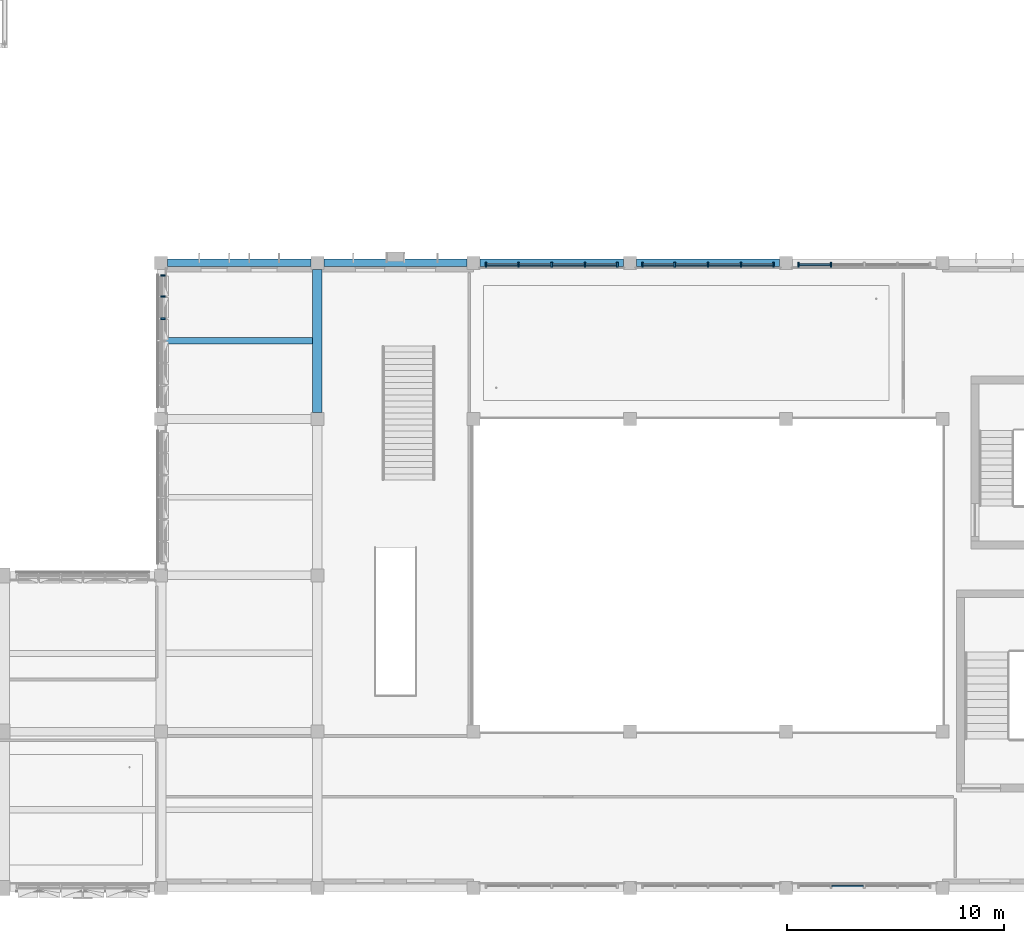
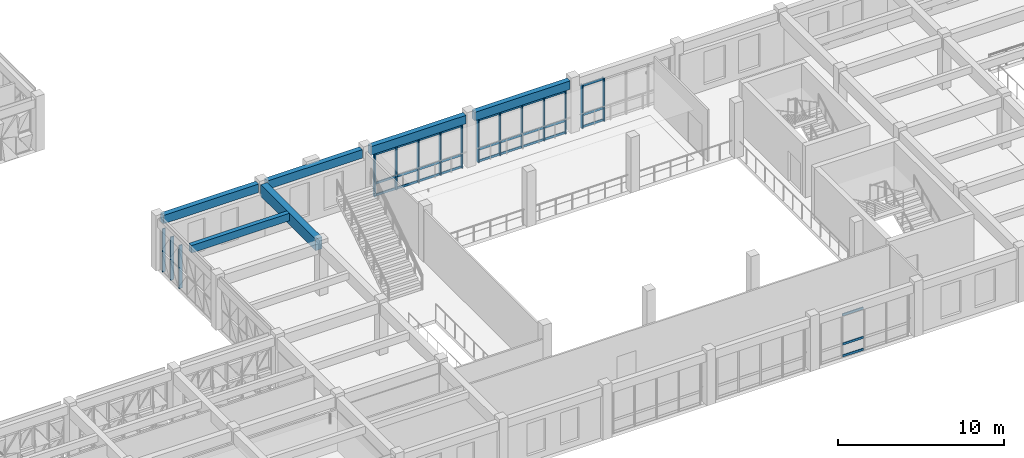
# One storey, part 12 of 88: 45 members, 6 beams, 5 elements without a shape of their own.
"""IFC4 building model written with IfcOpenShell, lengths in metres."""

from ifc_helpers import new_model, si_unit, direction, frame, origin, origin_2d, place, context, subcontext, project, spatial, rectangle, extrude, material, material_profile, profile_set, type_object, element, aggregate, save


model = new_model("IFC4")

# Units and contexts
model_context = context("Model", 3, precision=1e-05, world=origin(), true_north=direction((0.0, 1.0)))
body_context = subcontext(model_context, "Body", "Model", "MODEL_VIEW")
ifc_project = project(units=[si_unit("LENGTHUNIT", "METRE"), si_unit("AREAUNIT", "SQUARE_METRE"), si_unit("VOLUMEUNIT", "CUBIC_METRE"), si_unit("PLANEANGLEUNIT", "RADIAN"), si_unit("MASSUNIT", "GRAM", prefix="KILO")], contexts=[model_context])

# Site, building, storey
site_placement = place(None, origin())
site = spatial("IfcSite", under=ifc_project, at=site_placement, CompositionType="ELEMENT")
building_placement = place(site_placement, origin())
building = spatial("IfcBuilding", under=site, at=building_placement, Name="Alvorim Cloister Faculty of Sciences", CompositionType="ELEMENT")
storey_placement = place(building_placement, frame((0.0, 0.0, 4.5)))
storey = spatial("IfcBuildingStorey", under=building, at=storey_placement, Name="L01", CompositionType="ELEMENT", Elevation=4.5)

# Beams
ifc_material_1 = material(Name="Concrete C40", Category="concrete")
ifc_material_profile_1 = material_profile(ifc_material_1, rectangle(XDim=0.300048828125, YDim=0.550048828125, at=origin_2d()), Name="RC40-JST-300x550")
ifc_profile_set_1 = profile_set([ifc_material_profile_1], Name="Concrete C40")
beam_type_1 = type_object("IfcBeamType", Name="BM-JST-RC-300x550", PredefinedType="JOIST", material=ifc_profile_set_1)
beam_1_placement = place(storey_placement, frame((64.97509765625, 25.199951171875, 3.514892578125), z_axis=(1.0, 0.0, 0.0), x_axis=(0.0, 1.0, 0.0)))
element("IfcBeam", 1, at=beam_1_placement, inside=storey, type_object=beam_type_1, Name="L01 Secondary Floor Joist BM-1209", PredefinedType="JOIST", context=body_context, shape_type="SweptSolid", body=[
    extrude(rectangle(XDim=0.300048828125, YDim=0.550048828125, at=origin_2d()), origin(), (0.0, 0.0, 1.0), 6.7998046875),
])
ifc_material_profile_2 = material_profile(ifc_material_1, rectangle(XDim=0.449951171875, YDim=0.85009765625, at=origin_2d()), Name="RC40-BM-450x850")
ifc_profile_set_2 = profile_set([ifc_material_profile_2], Name="Concrete C40")
beam_type_2 = type_object("IfcBeamType", Name="BM-RC-450x850", PredefinedType="BEAM", material=ifc_profile_set_2)
beam_2_placement = place(storey_placement, frame((72.0, 21.89990234375, 3.364990234375), z_axis=(0.0, 1.0, 0.0), x_axis=(-1.0, 0.0, 0.0)))
element("IfcBeam", 2, at=beam_2_placement, inside=storey, type_object=beam_type_2, Name="L01 Primary Girder BM-1111", PredefinedType="BEAM", context=body_context, shape_type="SweptSolid", body=[
    extrude(rectangle(XDim=0.449951171875, YDim=0.85009765625, at=origin_2d()), origin(), (0.0, 0.0, 1.0), 6.60009765625),
])
ifc_material_profile_3 = material_profile(ifc_material_1, rectangle(XDim=0.35009765625, YDim=0.6201171875, at=origin_2d()), Name="RC40-SPD-350x620")
ifc_profile_set_3 = profile_set([ifc_material_profile_3], Name="Concrete C40")
beam_type_3 = type_object("IfcBeamType", Name="BM-SPD-RC-350x620", PredefinedType="SPANDREL", material=ifc_profile_set_3)
for number, where, z_axis, x_axis, name in (
    (3, (65.10009765625, 28.800048828125, 3.47998046875), (1.0, 0.0, 0.0), (0.0, 1.0, 0.0), "L01 Primary Beam BM-0949"),
    (4, (72.300048828125, 28.800048828125, 3.47998046875), (1.0, 0.0, 0.0), (0.0, 1.0, 0.0), "L01 Primary Beam BM-0950"),
):
    element("IfcBeam", number, at=place(storey_placement, frame(where, z_axis=z_axis, x_axis=x_axis)), inside=storey, type_object=beam_type_3, Name=name, PredefinedType="SPANDREL", context=body_context, shape_type="SweptSolid", body=[
        extrude(rectangle(XDim=0.35009765625, YDim=0.6201171875, at=origin_2d()), origin(), (0.0, 0.0, 1.0), 6.599853515625),
    ])
for number, where, z_axis, x_axis, name in (
    (5, (79.5, 28.800048828125, 3.47998046875), (1.0, 0.0, 0.0), (0.0, 1.0, 0.0), "L01 Primary Beam BM-0951"),
    (6, (86.699951171875, 28.800048828125, 3.47998046875), (1.0, 0.0, 0.0), (0.0, 1.0, 0.0), "L01 Primary Beam BM-0952"),
):
    element("IfcBeam", number, at=place(storey_placement, frame(where, z_axis=z_axis, x_axis=x_axis)), inside=storey, type_object=beam_type_3, Name=name, PredefinedType="SPANDREL", context=body_context, shape_type="SweptSolid", body=[
        extrude(rectangle(XDim=0.35009765625, YDim=0.6201171875, at=origin_2d()), origin(), (0.0, 0.0, 1.0), 6.60009765625),
    ])

# Curtain wall, members
ifc_material_2 = material(Name="Aluminium and Low-E Glass Curtain Wall", Category="aluminium")
curtain_wall_type_1 = type_object("IfcCurtainWallType", Name="CW-TRI-6120x3170", PredefinedType="USERDEFINED", material=ifc_material_2)
curtain_wall_1_placement = place(storey_placement, origin())
curtain_wall_1 = element("IfcCurtainWall", 7, at=curtain_wall_1_placement, inside=storey, type_object=curtain_wall_type_1, Name="L01 Diagonal Cassette Curtain Wall CW-0033", ObjectType="UNITISED CURTAIN WALL", PredefinedType="USERDEFINED")
ifc_material_3 = material(Name="Aluminium Alloy 6063-T6", Category="aluminium")
ifc_material_profile_4 = material_profile(ifc_material_3, rectangle(XDim=0.074951171875, YDim=0.219970703125, at=origin_2d()), Name="ALU-MUL-75x220")
ifc_profile_set_4 = profile_set([ifc_material_profile_4], Name="Aluminium Alloy 6063-T6")
member_type_1 = type_object("IfcMemberType", Name="CW-MUL-75x220", PredefinedType="MULLION", material=ifc_profile_set_4)
member_1_placement = place(storey_placement, frame((64.889892578125, 26.219970703125, 0.0), z_axis=(0.0, 0.0, 1.0), x_axis=(0.0, 1.0, 0.0)))
member_1 = element("IfcMember", 8, at=member_1_placement, type_object=member_type_1, Name="CW-0033 Mullion 5", PredefinedType="MULLION", context=body_context, shape_type="SweptSolid", body=[
    extrude(rectangle(XDim=0.074951171875, YDim=0.219970703125, at=origin_2d()), origin(), (0.0, 0.0, 1.0), 3.169921875),
])
member_2_placement = place(storey_placement, frame((64.889892578125, 27.239990234375, 0.0), z_axis=(0.0, 0.0, 1.0), x_axis=(0.0, 1.0, 0.0)))
member_2 = element("IfcMember", 9, at=member_2_placement, type_object=member_type_1, Name="CW-0033 Mullion 6", PredefinedType="MULLION", context=body_context, shape_type="SweptSolid", body=[
    extrude(rectangle(XDim=0.074951171875, YDim=0.219970703125, at=origin_2d()), origin(), (0.0, 0.0, 1.0), 3.169921875),
])
member_3_placement = place(storey_placement, frame((64.889892578125, 28.222412109375, 0.0), z_axis=(0.0, 0.0, 1.0), x_axis=(0.0, 1.0, 0.0)))
member_3 = element("IfcMember", 10, at=member_3_placement, type_object=member_type_1, Name="CW-0033 Mullion 7", PredefinedType="MULLION", context=body_context, shape_type="SweptSolid", body=[
    extrude(rectangle(XDim=0.074951171875, YDim=0.219970703125, at=origin_2d()), origin(), (0.0, 0.0, 1.0), 3.169921875),
])
aggregate(curtain_wall_1, [member_1, member_2, member_3])

curtain_wall_type_2 = type_object("IfcCurtainWallType", Name="CW-GLZ-6120x3170", PredefinedType="USERDEFINED", material=ifc_material_2)
curtain_wall_2_placement = place(storey_placement, origin())
curtain_wall_2 = element("IfcCurtainWall", 11, at=curtain_wall_2_placement, inside=storey, type_object=curtain_wall_type_2, Name="L01 Entrance and Atrium Glazed Curtain Wall CW-0034", ObjectType="UNITISED CURTAIN WALL", PredefinedType="USERDEFINED")
member_4_placement = place(storey_placement, frame((79.777587890625, 28.7099609375, 0.0), z_axis=(0.0, 0.0, 1.0), x_axis=(1.0, 0.0, 0.0)))
member_4 = element("IfcMember", 12, at=member_4_placement, type_object=member_type_1, Name="CW-04 mullion 1", PredefinedType="MULLION", context=body_context, shape_type="SweptSolid", body=[
    extrude(rectangle(XDim=0.074951171875, YDim=0.219970703125, at=origin_2d()), origin(), (0.0, 0.0, 1.0), 3.169921875),
])
member_5_placement = place(storey_placement, frame((81.27001953125, 28.7099609375, 0.0), z_axis=(0.0, 0.0, 1.0), x_axis=(1.0, 0.0, 0.0)))
member_5 = element("IfcMember", 13, at=member_5_placement, type_object=member_type_1, Name="CW-04 mullion 2", PredefinedType="MULLION", context=body_context, shape_type="SweptSolid", body=[
    extrude(rectangle(XDim=0.074951171875, YDim=0.219970703125, at=origin_2d()), origin(), (0.0, 0.0, 1.0), 3.169921875),
])
member_6_placement = place(storey_placement, frame((82.800048828125, 28.7099609375, 0.0), z_axis=(0.0, 0.0, 1.0), x_axis=(1.0, 0.0, 0.0)))
member_6 = element("IfcMember", 14, at=member_6_placement, type_object=member_type_1, Name="CW-04 mullion 3", PredefinedType="MULLION", context=body_context, shape_type="SweptSolid", body=[
    extrude(rectangle(XDim=0.074951171875, YDim=0.219970703125, at=origin_2d()), origin(), (0.0, 0.0, 1.0), 3.169921875),
])
member_7_placement = place(storey_placement, frame((84.330078125, 28.7099609375, 0.0), z_axis=(0.0, 0.0, 1.0), x_axis=(1.0, 0.0, 0.0)))
member_7 = element("IfcMember", 15, at=member_7_placement, type_object=member_type_1, Name="CW-04 mullion 4", PredefinedType="MULLION", context=body_context, shape_type="SweptSolid", body=[
    extrude(rectangle(XDim=0.074951171875, YDim=0.219970703125, at=origin_2d()), origin(), (0.0, 0.0, 1.0), 3.169921875),
])
member_8_placement = place(storey_placement, frame((85.822509765625, 28.7099609375, 0.0), z_axis=(0.0, 0.0, 1.0), x_axis=(1.0, 0.0, 0.0)))
member_8 = element("IfcMember", 16, at=member_8_placement, type_object=member_type_1, Name="CW-04 mullion 5", PredefinedType="MULLION", context=body_context, shape_type="SweptSolid", body=[
    extrude(rectangle(XDim=0.074951171875, YDim=0.219970703125, at=origin_2d()), origin(), (0.0, 0.0, 1.0), 3.169921875),
])

curtain_wall_3_placement = place(storey_placement, origin())
curtain_wall_3 = element("IfcCurtainWall", 17, at=curtain_wall_3_placement, inside=storey, type_object=curtain_wall_type_2, Name="L01 Entrance and Atrium Glazed Curtain Wall CW-0035", ObjectType="UNITISED CURTAIN WALL", PredefinedType="USERDEFINED")
member_9_placement = place(storey_placement, frame((86.9775390625, 28.7099609375, 0.0), z_axis=(0.0, 0.0, 1.0), x_axis=(1.0, 0.0, 0.0)))
member_9 = element("IfcMember", 18, at=member_9_placement, type_object=member_type_1, Name="CW-04 mullion 1", PredefinedType="MULLION", context=body_context, shape_type="SweptSolid", body=[
    extrude(rectangle(XDim=0.074951171875, YDim=0.219970703125, at=origin_2d()), origin(), (0.0, 0.0, 1.0), 3.169921875),
])
member_10_placement = place(storey_placement, frame((88.469970703125, 28.7099609375, 0.0), z_axis=(0.0, 0.0, 1.0), x_axis=(1.0, 0.0, 0.0)))
member_10 = element("IfcMember", 19, at=member_10_placement, type_object=member_type_1, Name="CW-04 mullion 2", PredefinedType="MULLION", context=body_context, shape_type="SweptSolid", body=[
    extrude(rectangle(XDim=0.074951171875, YDim=0.219970703125, at=origin_2d()), origin(), (0.0, 0.0, 1.0), 3.169921875),
])
member_11_placement = place(storey_placement, frame((90.0, 28.7099609375, 0.0), z_axis=(0.0, 0.0, 1.0), x_axis=(1.0, 0.0, 0.0)))
member_11 = element("IfcMember", 20, at=member_11_placement, type_object=member_type_1, Name="CW-04 mullion 3", PredefinedType="MULLION", context=body_context, shape_type="SweptSolid", body=[
    extrude(rectangle(XDim=0.074951171875, YDim=0.219970703125, at=origin_2d()), origin(), (0.0, 0.0, 1.0), 3.169921875),
])
member_12_placement = place(storey_placement, frame((91.530029296875, 28.7099609375, 0.0), z_axis=(0.0, 0.0, 1.0), x_axis=(1.0, 0.0, 0.0)))
member_12 = element("IfcMember", 21, at=member_12_placement, type_object=member_type_1, Name="CW-04 mullion 4", PredefinedType="MULLION", context=body_context, shape_type="SweptSolid", body=[
    extrude(rectangle(XDim=0.074951171875, YDim=0.219970703125, at=origin_2d()), origin(), (0.0, 0.0, 1.0), 3.169921875),
])
member_13_placement = place(storey_placement, frame((93.0224609375, 28.7099609375, 0.0), z_axis=(0.0, 0.0, 1.0), x_axis=(1.0, 0.0, 0.0)))
member_13 = element("IfcMember", 22, at=member_13_placement, type_object=member_type_1, Name="CW-04 mullion 5", PredefinedType="MULLION", context=body_context, shape_type="SweptSolid", body=[
    extrude(rectangle(XDim=0.074951171875, YDim=0.219970703125, at=origin_2d()), origin(), (0.0, 0.0, 1.0), 3.169921875),
])

curtain_wall_4_placement = place(storey_placement, origin())
curtain_wall_4 = element("IfcCurtainWall", 23, at=curtain_wall_4_placement, inside=storey, type_object=curtain_wall_type_2, Name="L01 Entrance and Atrium Glazed Curtain Wall CW-0036", ObjectType="UNITISED CURTAIN WALL", PredefinedType="USERDEFINED")
member_14_placement = place(storey_placement, frame((94.177490234375, 28.7099609375, 0.0), z_axis=(0.0, 0.0, 1.0), x_axis=(1.0, 0.0, 0.0)))
member_14 = element("IfcMember", 24, at=member_14_placement, type_object=member_type_1, Name="CW-04 mullion 1", PredefinedType="MULLION", context=body_context, shape_type="SweptSolid", body=[
    extrude(rectangle(XDim=0.074951171875, YDim=0.219970703125, at=origin_2d()), origin(), (0.0, 0.0, 1.0), 3.169921875),
])
member_15_placement = place(storey_placement, frame((95.669921875, 28.7099609375, 0.0), z_axis=(0.0, 0.0, 1.0), x_axis=(1.0, 0.0, 0.0)))
member_15 = element("IfcMember", 25, at=member_15_placement, type_object=member_type_1, Name="CW-04 mullion 2", PredefinedType="MULLION", context=body_context, shape_type="SweptSolid", body=[
    extrude(rectangle(XDim=0.074951171875, YDim=0.219970703125, at=origin_2d()), origin(), (0.0, 0.0, 1.0), 3.169921875),
])

# Member
ifc_material_profile_5 = material_profile(ifc_material_3, rectangle(XDim=0.074951171875, YDim=0.159912109375, at=origin_2d()), Name="ALU-TRN-75x160")
ifc_profile_set_5 = profile_set([ifc_material_profile_5], Name="Aluminium Alloy 6063-T6")
member_type_2 = type_object("IfcMemberType", Name="CW-TRN-75x160", PredefinedType="USERDEFINED", material=ifc_profile_set_5)
member_16_placement = place(storey_placement, frame((79.81494140625, 28.7099609375, 0.080078125), z_axis=(1.0, 0.0, 0.0), x_axis=(0.0, 1.0, 0.0)))
member_16 = element("IfcMember", 26, at=member_16_placement, type_object=member_type_2, Name="CW-04 transom 1.1", ObjectType="TRANSOM", PredefinedType="USERDEFINED", context=body_context, shape_type="SweptSolid", body=[
    extrude(rectangle(XDim=0.074951171875, YDim=0.159912109375, at=origin_2d()), origin(), (0.0, 0.0, 1.0), 1.41748046875),
])

member_17_placement = place(storey_placement, frame((79.81494140625, 28.7099609375, 0.949951171875), z_axis=(1.0, 0.0, 0.0), x_axis=(0.0, 1.0, 0.0)))
member_17 = element("IfcMember", 27, at=member_17_placement, type_object=member_type_2, Name="CW-04 transom 1.2", ObjectType="TRANSOM", PredefinedType="USERDEFINED", context=body_context, shape_type="SweptSolid", body=[
    extrude(rectangle(XDim=0.074951171875, YDim=0.159912109375, at=origin_2d()), origin(), (0.0, 0.0, 1.0), 1.41748046875),
])

member_18_placement = place(storey_placement, frame((79.81494140625, 28.7099609375, 3.090087890625), z_axis=(1.0, 0.0, 0.0), x_axis=(0.0, 1.0, 0.0)))
member_18 = element("IfcMember", 28, at=member_18_placement, type_object=member_type_2, Name="CW-04 transom 1.3", ObjectType="TRANSOM", PredefinedType="USERDEFINED", context=body_context, shape_type="SweptSolid", body=[
    extrude(rectangle(XDim=0.074951171875, YDim=0.159912109375, at=origin_2d()), origin(), (0.0, 0.0, 1.0), 1.41748046875),
])

member_19_placement = place(storey_placement, frame((81.3076171875, 28.7099609375, 0.080078125), z_axis=(1.0, 0.0, 0.0), x_axis=(0.0, 1.0, 0.0)))
member_19 = element("IfcMember", 29, at=member_19_placement, type_object=member_type_2, Name="CW-04 transom 2.1", ObjectType="TRANSOM", PredefinedType="USERDEFINED", context=body_context, shape_type="SweptSolid", body=[
    extrude(rectangle(XDim=0.074951171875, YDim=0.159912109375, at=origin_2d()), origin(), (0.0, 0.0, 1.0), 1.454833984375),
])

member_20_placement = place(storey_placement, frame((81.3076171875, 28.7099609375, 0.949951171875), z_axis=(1.0, 0.0, 0.0), x_axis=(0.0, 1.0, 0.0)))
member_20 = element("IfcMember", 30, at=member_20_placement, type_object=member_type_2, Name="CW-04 transom 2.2", ObjectType="TRANSOM", PredefinedType="USERDEFINED", context=body_context, shape_type="SweptSolid", body=[
    extrude(rectangle(XDim=0.074951171875, YDim=0.159912109375, at=origin_2d()), origin(), (0.0, 0.0, 1.0), 1.454833984375),
])

member_21_placement = place(storey_placement, frame((81.3076171875, 28.7099609375, 3.090087890625), z_axis=(1.0, 0.0, 0.0), x_axis=(0.0, 1.0, 0.0)))
member_21 = element("IfcMember", 31, at=member_21_placement, type_object=member_type_2, Name="CW-04 transom 2.3", ObjectType="TRANSOM", PredefinedType="USERDEFINED", context=body_context, shape_type="SweptSolid", body=[
    extrude(rectangle(XDim=0.074951171875, YDim=0.159912109375, at=origin_2d()), origin(), (0.0, 0.0, 1.0), 1.454833984375),
])

member_22_placement = place(storey_placement, frame((82.83740234375, 28.7099609375, 0.080078125), z_axis=(1.0, 0.0, 0.0), x_axis=(0.0, 1.0, 0.0)))
member_22 = element("IfcMember", 32, at=member_22_placement, type_object=member_type_2, Name="CW-04 transom 3.1", ObjectType="TRANSOM", PredefinedType="USERDEFINED", context=body_context, shape_type="SweptSolid", body=[
    extrude(rectangle(XDim=0.074951171875, YDim=0.159912109375, at=origin_2d()), origin(), (0.0, 0.0, 1.0), 1.455078125),
])

member_23_placement = place(storey_placement, frame((82.83740234375, 28.7099609375, 0.949951171875), z_axis=(1.0, 0.0, 0.0), x_axis=(0.0, 1.0, 0.0)))
member_23 = element("IfcMember", 33, at=member_23_placement, type_object=member_type_2, Name="CW-04 transom 3.2", ObjectType="TRANSOM", PredefinedType="USERDEFINED", context=body_context, shape_type="SweptSolid", body=[
    extrude(rectangle(XDim=0.074951171875, YDim=0.159912109375, at=origin_2d()), origin(), (0.0, 0.0, 1.0), 1.455078125),
])

member_24_placement = place(storey_placement, frame((82.83740234375, 28.7099609375, 3.090087890625), z_axis=(1.0, 0.0, 0.0), x_axis=(0.0, 1.0, 0.0)))
member_24 = element("IfcMember", 34, at=member_24_placement, type_object=member_type_2, Name="CW-04 transom 3.3", ObjectType="TRANSOM", PredefinedType="USERDEFINED", context=body_context, shape_type="SweptSolid", body=[
    extrude(rectangle(XDim=0.074951171875, YDim=0.159912109375, at=origin_2d()), origin(), (0.0, 0.0, 1.0), 1.455078125),
])

member_25_placement = place(storey_placement, frame((84.367431640625, 28.7099609375, 0.080078125), z_axis=(1.0, 0.0, 0.0), x_axis=(0.0, 1.0, 0.0)))
member_25 = element("IfcMember", 35, at=member_25_placement, type_object=member_type_2, Name="CW-04 transom 4.1", ObjectType="TRANSOM", PredefinedType="USERDEFINED", context=body_context, shape_type="SweptSolid", body=[
    extrude(rectangle(XDim=0.074951171875, YDim=0.159912109375, at=origin_2d()), origin(), (0.0, 0.0, 1.0), 1.41748046875),
])

member_26_placement = place(storey_placement, frame((84.367431640625, 28.7099609375, 0.949951171875), z_axis=(1.0, 0.0, 0.0), x_axis=(0.0, 1.0, 0.0)))
member_26 = element("IfcMember", 36, at=member_26_placement, type_object=member_type_2, Name="CW-04 transom 4.2", ObjectType="TRANSOM", PredefinedType="USERDEFINED", context=body_context, shape_type="SweptSolid", body=[
    extrude(rectangle(XDim=0.074951171875, YDim=0.159912109375, at=origin_2d()), origin(), (0.0, 0.0, 1.0), 1.41748046875),
])

member_27_placement = place(storey_placement, frame((84.367431640625, 28.7099609375, 3.090087890625), z_axis=(1.0, 0.0, 0.0), x_axis=(0.0, 1.0, 0.0)))
member_27 = element("IfcMember", 37, at=member_27_placement, type_object=member_type_2, Name="CW-04 transom 4.3", ObjectType="TRANSOM", PredefinedType="USERDEFINED", context=body_context, shape_type="SweptSolid", body=[
    extrude(rectangle(XDim=0.074951171875, YDim=0.159912109375, at=origin_2d()), origin(), (0.0, 0.0, 1.0), 1.41748046875),
])

aggregate(curtain_wall_2, [member_4, member_5, member_6, member_7, member_8, member_16, member_17, member_18, member_19, member_20, member_21, member_22, member_23, member_24, member_25, member_26, member_27])

member_28_placement = place(storey_placement, frame((87.014892578125, 28.7099609375, 0.080078125), z_axis=(1.0, 0.0, 0.0), x_axis=(0.0, 1.0, 0.0)))
member_28 = element("IfcMember", 38, at=member_28_placement, type_object=member_type_2, Name="CW-04 transom 1.1", ObjectType="TRANSOM", PredefinedType="USERDEFINED", context=body_context, shape_type="SweptSolid", body=[
    extrude(rectangle(XDim=0.074951171875, YDim=0.159912109375, at=origin_2d()), origin(), (0.0, 0.0, 1.0), 1.417724609375),
])

member_29_placement = place(storey_placement, frame((87.014892578125, 28.7099609375, 0.949951171875), z_axis=(1.0, 0.0, 0.0), x_axis=(0.0, 1.0, 0.0)))
member_29 = element("IfcMember", 39, at=member_29_placement, type_object=member_type_2, Name="CW-04 transom 1.2", ObjectType="TRANSOM", PredefinedType="USERDEFINED", context=body_context, shape_type="SweptSolid", body=[
    extrude(rectangle(XDim=0.074951171875, YDim=0.159912109375, at=origin_2d()), origin(), (0.0, 0.0, 1.0), 1.417724609375),
])

member_30_placement = place(storey_placement, frame((87.014892578125, 28.7099609375, 3.090087890625), z_axis=(1.0, 0.0, 0.0), x_axis=(0.0, 1.0, 0.0)))
member_30 = element("IfcMember", 40, at=member_30_placement, type_object=member_type_2, Name="CW-04 transom 1.3", ObjectType="TRANSOM", PredefinedType="USERDEFINED", context=body_context, shape_type="SweptSolid", body=[
    extrude(rectangle(XDim=0.074951171875, YDim=0.159912109375, at=origin_2d()), origin(), (0.0, 0.0, 1.0), 1.417724609375),
])

member_31_placement = place(storey_placement, frame((88.507568359375, 28.7099609375, 0.080078125), z_axis=(1.0, 0.0, 0.0), x_axis=(0.0, 1.0, 0.0)))
member_31 = element("IfcMember", 41, at=member_31_placement, type_object=member_type_2, Name="CW-04 transom 2.1", ObjectType="TRANSOM", PredefinedType="USERDEFINED", context=body_context, shape_type="SweptSolid", body=[
    extrude(rectangle(XDim=0.074951171875, YDim=0.159912109375, at=origin_2d()), origin(), (0.0, 0.0, 1.0), 1.454833984375),
])

member_32_placement = place(storey_placement, frame((88.507568359375, 28.7099609375, 0.949951171875), z_axis=(1.0, 0.0, 0.0), x_axis=(0.0, 1.0, 0.0)))
member_32 = element("IfcMember", 42, at=member_32_placement, type_object=member_type_2, Name="CW-04 transom 2.2", ObjectType="TRANSOM", PredefinedType="USERDEFINED", context=body_context, shape_type="SweptSolid", body=[
    extrude(rectangle(XDim=0.074951171875, YDim=0.159912109375, at=origin_2d()), origin(), (0.0, 0.0, 1.0), 1.454833984375),
])

member_33_placement = place(storey_placement, frame((88.507568359375, 28.7099609375, 3.090087890625), z_axis=(1.0, 0.0, 0.0), x_axis=(0.0, 1.0, 0.0)))
member_33 = element("IfcMember", 43, at=member_33_placement, type_object=member_type_2, Name="CW-04 transom 2.3", ObjectType="TRANSOM", PredefinedType="USERDEFINED", context=body_context, shape_type="SweptSolid", body=[
    extrude(rectangle(XDim=0.074951171875, YDim=0.159912109375, at=origin_2d()), origin(), (0.0, 0.0, 1.0), 1.454833984375),
])

member_34_placement = place(storey_placement, frame((90.03759765625, 28.7099609375, 0.080078125), z_axis=(1.0, 0.0, 0.0), x_axis=(0.0, 1.0, 0.0)))
member_34 = element("IfcMember", 44, at=member_34_placement, type_object=member_type_2, Name="CW-04 transom 3.1", ObjectType="TRANSOM", PredefinedType="USERDEFINED", context=body_context, shape_type="SweptSolid", body=[
    extrude(rectangle(XDim=0.074951171875, YDim=0.159912109375, at=origin_2d()), origin(), (0.0, 0.0, 1.0), 1.454833984375),
])

member_35_placement = place(storey_placement, frame((90.03759765625, 28.7099609375, 0.949951171875), z_axis=(1.0, 0.0, 0.0), x_axis=(0.0, 1.0, 0.0)))
member_35 = element("IfcMember", 45, at=member_35_placement, type_object=member_type_2, Name="CW-04 transom 3.2", ObjectType="TRANSOM", PredefinedType="USERDEFINED", context=body_context, shape_type="SweptSolid", body=[
    extrude(rectangle(XDim=0.074951171875, YDim=0.159912109375, at=origin_2d()), origin(), (0.0, 0.0, 1.0), 1.454833984375),
])

member_36_placement = place(storey_placement, frame((90.03759765625, 28.7099609375, 3.090087890625), z_axis=(1.0, 0.0, 0.0), x_axis=(0.0, 1.0, 0.0)))
member_36 = element("IfcMember", 46, at=member_36_placement, type_object=member_type_2, Name="CW-04 transom 3.3", ObjectType="TRANSOM", PredefinedType="USERDEFINED", context=body_context, shape_type="SweptSolid", body=[
    extrude(rectangle(XDim=0.074951171875, YDim=0.159912109375, at=origin_2d()), origin(), (0.0, 0.0, 1.0), 1.454833984375),
])

member_37_placement = place(storey_placement, frame((91.5673828125, 28.7099609375, 0.080078125), z_axis=(1.0, 0.0, 0.0), x_axis=(0.0, 1.0, 0.0)))
member_37 = element("IfcMember", 47, at=member_37_placement, type_object=member_type_2, Name="CW-04 transom 4.1", ObjectType="TRANSOM", PredefinedType="USERDEFINED", context=body_context, shape_type="SweptSolid", body=[
    extrude(rectangle(XDim=0.074951171875, YDim=0.159912109375, at=origin_2d()), origin(), (0.0, 0.0, 1.0), 1.417724609375),
])

member_38_placement = place(storey_placement, frame((91.5673828125, 28.7099609375, 0.949951171875), z_axis=(1.0, 0.0, 0.0), x_axis=(0.0, 1.0, 0.0)))
member_38 = element("IfcMember", 48, at=member_38_placement, type_object=member_type_2, Name="CW-04 transom 4.2", ObjectType="TRANSOM", PredefinedType="USERDEFINED", context=body_context, shape_type="SweptSolid", body=[
    extrude(rectangle(XDim=0.074951171875, YDim=0.159912109375, at=origin_2d()), origin(), (0.0, 0.0, 1.0), 1.417724609375),
])

member_39_placement = place(storey_placement, frame((91.5673828125, 28.7099609375, 3.090087890625), z_axis=(1.0, 0.0, 0.0), x_axis=(0.0, 1.0, 0.0)))
member_39 = element("IfcMember", 49, at=member_39_placement, type_object=member_type_2, Name="CW-04 transom 4.3", ObjectType="TRANSOM", PredefinedType="USERDEFINED", context=body_context, shape_type="SweptSolid", body=[
    extrude(rectangle(XDim=0.074951171875, YDim=0.159912109375, at=origin_2d()), origin(), (0.0, 0.0, 1.0), 1.417724609375),
])

aggregate(curtain_wall_3, [member_9, member_10, member_11, member_12, member_13, member_28, member_29, member_30, member_31, member_32, member_33, member_34, member_35, member_36, member_37, member_38, member_39])

member_40_placement = place(storey_placement, frame((94.215087890625, 28.7099609375, 0.080078125), z_axis=(1.0, 0.0, 0.0), x_axis=(0.0, 1.0, 0.0)))
member_40 = element("IfcMember", 50, at=member_40_placement, type_object=member_type_2, Name="CW-04 transom 1.1", ObjectType="TRANSOM", PredefinedType="USERDEFINED", context=body_context, shape_type="SweptSolid", body=[
    extrude(rectangle(XDim=0.074951171875, YDim=0.159912109375, at=origin_2d()), origin(), (0.0, 0.0, 1.0), 1.41748046875),
])

member_41_placement = place(storey_placement, frame((94.215087890625, 28.7099609375, 0.949951171875), z_axis=(1.0, 0.0, 0.0), x_axis=(0.0, 1.0, 0.0)))
member_41 = element("IfcMember", 51, at=member_41_placement, type_object=member_type_2, Name="CW-04 transom 1.2", ObjectType="TRANSOM", PredefinedType="USERDEFINED", context=body_context, shape_type="SweptSolid", body=[
    extrude(rectangle(XDim=0.074951171875, YDim=0.159912109375, at=origin_2d()), origin(), (0.0, 0.0, 1.0), 1.41748046875),
])

member_42_placement = place(storey_placement, frame((94.215087890625, 28.7099609375, 3.090087890625), z_axis=(1.0, 0.0, 0.0), x_axis=(0.0, 1.0, 0.0)))
member_42 = element("IfcMember", 52, at=member_42_placement, type_object=member_type_2, Name="CW-04 transom 1.3", ObjectType="TRANSOM", PredefinedType="USERDEFINED", context=body_context, shape_type="SweptSolid", body=[
    extrude(rectangle(XDim=0.074951171875, YDim=0.159912109375, at=origin_2d()), origin(), (0.0, 0.0, 1.0), 1.41748046875),
])

aggregate(curtain_wall_4, [member_14, member_15, member_40, member_41, member_42])

# Curtain wall, members
curtain_wall_5_placement = place(storey_placement, origin())
curtain_wall_5 = element("IfcCurtainWall", 53, at=curtain_wall_5_placement, inside=storey, type_object=curtain_wall_type_2, Name="L01 Entrance and Atrium Glazed Curtain Wall CW-0037", ObjectType="UNITISED CURTAIN WALL", PredefinedType="USERDEFINED")
member_43_placement = place(storey_placement, frame((95.70751953125, 0.090087890625, 0.080078125), z_axis=(1.0, 0.0, 0.0), x_axis=(0.0, 1.0, 0.0)))
member_43 = element("IfcMember", 54, at=member_43_placement, type_object=member_type_2, Name="CW-04 transom 2.1", ObjectType="TRANSOM", PredefinedType="USERDEFINED", context=body_context, shape_type="SweptSolid", body=[
    extrude(rectangle(XDim=0.074951171875, YDim=0.159912109375, at=origin_2d()), origin(), (0.0, 0.0, 1.0), 1.455078125),
])
member_44_placement = place(storey_placement, frame((95.70751953125, 0.090087890625, 0.949951171875), z_axis=(1.0, 0.0, 0.0), x_axis=(0.0, 1.0, 0.0)))
member_44 = element("IfcMember", 55, at=member_44_placement, type_object=member_type_2, Name="CW-04 transom 2.2", ObjectType="TRANSOM", PredefinedType="USERDEFINED", context=body_context, shape_type="SweptSolid", body=[
    extrude(rectangle(XDim=0.074951171875, YDim=0.159912109375, at=origin_2d()), origin(), (0.0, 0.0, 1.0), 1.455078125),
])
member_45_placement = place(storey_placement, frame((95.70751953125, 0.090087890625, 3.090087890625), z_axis=(1.0, 0.0, 0.0), x_axis=(0.0, 1.0, 0.0)))
member_45 = element("IfcMember", 56, at=member_45_placement, type_object=member_type_2, Name="CW-04 transom 2.3", ObjectType="TRANSOM", PredefinedType="USERDEFINED", context=body_context, shape_type="SweptSolid", body=[
    extrude(rectangle(XDim=0.074951171875, YDim=0.159912109375, at=origin_2d()), origin(), (0.0, 0.0, 1.0), 1.455078125),
])
aggregate(curtain_wall_5, [member_43, member_44, member_45])

save(model, "model.ifc")
